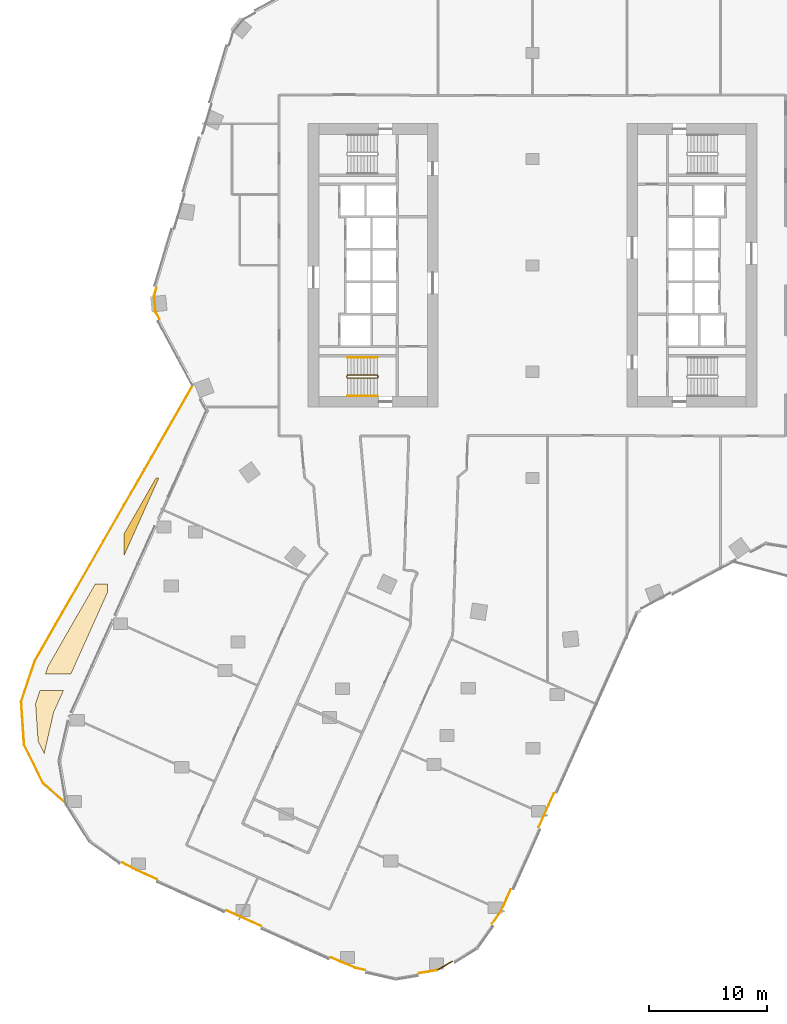
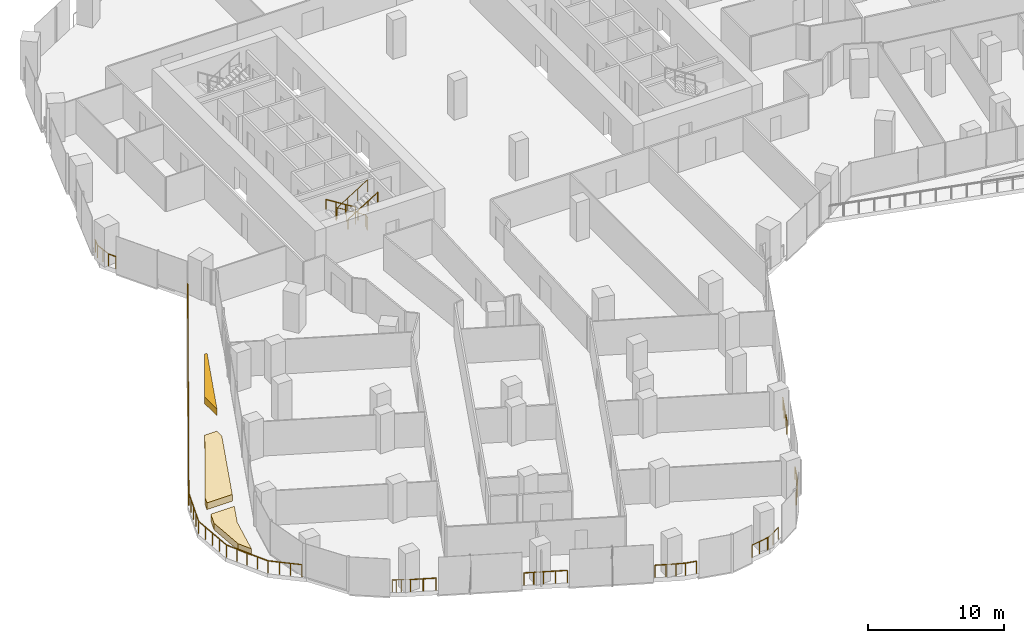
# One storey, part 29 of 32: 16 railings, 3 coverings.
"""IFC4 building model written with IfcOpenShell, lengths in metres."""

from ifc_helpers import new_model, si_unit, direction, frame, origin, origin_2d, place, context, subcontext, project, spatial, polyline, circle, outline, extrude, material, layer, layer_set, type_object, element, save


model = new_model("IFC4")

# Units and contexts
model_context = context("Model", 3, precision=1e-05, world=origin(), true_north=direction((0.0, 1.0)))
body_context = subcontext(model_context, "Body", "Model", "MODEL_VIEW")
ifc_project = project(units=[si_unit("LENGTHUNIT", "METRE"), si_unit("AREAUNIT", "SQUARE_METRE"), si_unit("VOLUMEUNIT", "CUBIC_METRE"), si_unit("PLANEANGLEUNIT", "RADIAN"), si_unit("MASSUNIT", "GRAM", prefix="KILO")], contexts=[model_context])

# Site, building, storey
site_placement = place(None, origin())
site = spatial("IfcSite", under=ifc_project, at=site_placement, CompositionType="ELEMENT")
building_placement = place(site_placement, origin())
building = spatial("IfcBuilding", under=site, at=building_placement, Name="Orlundy Tower", CompositionType="ELEMENT")
storey_placement = place(building_placement, frame((0.0, 0.0, 123.699951171875)))
storey = spatial("IfcBuildingStorey", under=building, at=storey_placement, Name="L31", CompositionType="ELEMENT", Elevation=123.699951171875)

# Coverings
ifc_material_1 = material(Name="Planted soil in precast concrete trough", Category="concrete")
ifc_layer = layer(ifc_material_1, 0.60009765625)
ifc_layer_set = layer_set([ifc_layer], Name="PLANTER box")
covering_type = type_object("IfcCoveringType", Name="PLANTER box", PredefinedType="USERDEFINED", material=ifc_layer_set)
covering_1_placement = place(storey_placement, origin())
element("IfcCovering", 1, at=covering_1_placement, inside=storey, type_object=covering_type, Name="PLANTER L31-20", ObjectType="PLANTER", PredefinedType="USERDEFINED", context=body_context, shape_type="SweptSolid", body=[
    extrude(outline(polyline([(-41.718017578125, -36.0), (-39.718994140625, -36.0), (-40.554931640625, -37.863037109375), (-41.35205078125, -41.3369140625), (-41.873046875, -40.2890625), (-42.090087890625, -37.10693359375), (-41.718017578125, -36.0)])), origin(), (0.0, 0.0, 1.0), 0.60009765625),
])
covering_2_placement = place(storey_placement, origin())
element("IfcCovering", 2, at=covering_2_placement, inside=storey, type_object=covering_type, Name="PLANTER L31-21", ObjectType="PLANTER", PredefinedType="USERDEFINED", context=body_context, shape_type="SweptSolid", body=[
    extrude(outline(polyline([(-41.031982421875, -33.9599609375), (-37.041015625, -27.0), (-36.0, -27.0), (-36.0, -27.7119140625), (-39.091064453125, -34.60009765625), (-41.2470703125, -34.60009765625), (-41.031982421875, -33.9599609375)])), origin(), (0.0, 0.0, 1.0), 0.60009765625),
])
covering_3_placement = place(storey_placement, origin())
element("IfcCovering", 3, at=covering_3_placement, inside=storey, type_object=covering_type, Name="PLANTER L31-22", ObjectType="PLANTER", PredefinedType="USERDEFINED", context=body_context, shape_type="SweptSolid", body=[
    extrude(outline(polyline([(-31.8798828125, -18.0), (-31.64208984375, -18.0), (-34.60009765625, -24.592041015625), (-34.60009765625, -22.743896484375), (-31.8798828125, -18.0)])), origin(), (0.0, 0.0, 1.0), 0.60009765625),
])

# Railings
ifc_material_2 = material(Name="Steel balustrade", Category="steel")
railing_type_1 = type_object("IfcRailingType", Name="Stair Guard 1100", PredefinedType="GUARDRAIL", material=ifc_material_2)
railing_1_placement = place(storey_placement, frame((-13.090087890625, -9.35009765625, 0.0)))
element("IfcRailing", 4, at=railing_1_placement, inside=storey, type_object=railing_type_1, Name="L31 ST-W2 stair guard 1", PredefinedType="GUARDRAIL", context=body_context, shape_type="SweptSolid", body=[
    extrude(circle(Radius=0.02392578125, at=origin_2d()), frame((0.0, 0.0, 1.076171875), z_axis=(0.0, -1.0, 0.0), x_axis=(1.0, 0.0, 0.0)), (0.0, 0.0, 1.0), 0.14990234375),
    extrude(circle(Radius=0.02392578125, at=origin_2d()), frame((0.0, -0.14990234375, 1.076171875), z_axis=(-0.18420542264, 0.739530593833, 0.647427882513), x_axis=(-0.970351222016, -0.241699205484, 0.0)), (0.0, 0.0, 1.0), 0.270263671875),
    extrude(circle(Radius=0.02392578125, at=origin_2d()), frame((-0.0498046875, 0.050048828125, 1.2509765625), z_axis=(-0.848007534815, 0.0, 0.529984170421), x_axis=(0.0, -1.0, 0.0)), (0.0, 0.0, 1.0), 2.9716796875),
    extrude(circle(Radius=0.02392578125, at=origin_2d()), frame((-2.56982421875, 0.050048828125, 2.826171875), z_axis=(-0.707106781187, -0.707106781187, 0.0), x_axis=(0.707106781187, -0.707106781187, 0.0)), (0.0, 0.0, 1.0), 0.07080078125),
    extrude(circle(Radius=0.02392578125, at=origin_2d()), frame((-2.619873046875, 0.0, 2.826171875), z_axis=(0.0, -1.0, 0.0), x_axis=(1.0, 0.0, 0.0)), (0.0, 0.0, 1.0), 0.14990234375),
    extrude(circle(Radius=0.02392578125, at=origin_2d()), frame((-2.619873046875, -0.14990234375, 2.826171875), z_axis=(0.265065253269, -0.265065253269, 0.927081885822), x_axis=(0.707106781187, 0.707106781187, 0.0)), (0.0, 0.0, 1.0), 0.188720703125),
    extrude(circle(Radius=0.02392578125, at=origin_2d()), frame((-2.56982421875, -0.199951171875, 3.0009765625), z_axis=(0.848007534815, 0.0, 0.529984170421), x_axis=(0.0, 1.0, 0.0)), (0.0, 0.0, 1.0), 2.9716796875),
    extrude(circle(Radius=0.02099609375, at=origin_2d()), origin(), (0.0, 0.0, 1.0), 1.052001953125),
    extrude(circle(Radius=0.02099609375, at=origin_2d()), frame((0.0, -0.14990234375, 0.0)), (0.0, 0.0, 1.0), 1.052001953125),
    extrude(circle(Radius=0.02099609375, at=origin_2d()), frame((-0.0498046875, 0.050048828125, 0.175048828125)), (0.0, 0.0, 1.0), 1.052001953125),
    extrude(circle(Radius=0.02099609375, at=origin_2d()), frame((-0.889892578125, 0.050048828125, 0.699951171875)), (0.0, 0.0, 1.0), 1.052001953125),
    extrude(circle(Radius=0.02099609375, at=origin_2d()), frame((-1.729736328125, 0.050048828125, 1.22509765625)), (0.0, 0.0, 1.0), 1.052001953125),
    extrude(circle(Radius=0.02099609375, at=origin_2d()), frame((-2.56982421875, 0.050048828125, 1.75)), (0.0, 0.0, 1.0), 1.052001953125),
    extrude(circle(Radius=0.02099609375, at=origin_2d()), frame((-2.619873046875, 0.0, 1.75)), (0.0, 0.0, 1.0), 1.052001953125),
    extrude(circle(Radius=0.02099609375, at=origin_2d()), frame((-2.619873046875, -0.14990234375, 1.75)), (0.0, 0.0, 1.0), 1.052001953125),
    extrude(circle(Radius=0.02099609375, at=origin_2d()), frame((-2.56982421875, -0.199951171875, 1.925048828125)), (0.0, 0.0, 1.0), 1.052001953125),
    extrude(circle(Radius=0.02099609375, at=origin_2d()), frame((-1.729736328125, -0.199951171875, 2.449951171875)), (0.0, 0.0, 1.0), 1.052001953125),
    extrude(circle(Radius=0.02099609375, at=origin_2d()), frame((-0.889892578125, -0.199951171875, 2.97509765625)), (0.0, 0.0, 1.0), 1.052001953125),
    extrude(circle(Radius=0.02099609375, at=origin_2d()), frame((-0.0498046875, -0.199951171875, 3.5)), (0.0, 0.0, 1.0), 1.052001953125),
])
ifc_material_3 = material(Name="Steel handrail", Category="steel")
railing_type_2 = type_object("IfcRailingType", Name="Stair Handrail 900", PredefinedType="HANDRAIL", material=ifc_material_3)
railing_2_placement = place(storey_placement, frame((-13.139892578125, -7.800048828125, 0.175048828125)))
element("IfcRailing", 5, at=railing_2_placement, inside=storey, type_object=railing_type_2, Name="L31 ST-W2 stair handrail 1", PredefinedType="HANDRAIL", context=body_context, shape_type="SweptSolid", body=[
    extrude(circle(Radius=0.02392578125, at=origin_2d()), frame((0.0, 0.0, 0.8759765625), z_axis=(-0.848007534815, 0.0, 0.529984170421), x_axis=(0.0, -1.0, 0.0)), (0.0, 0.0, 1.0), 2.9716796875),
    extrude(circle(Radius=0.02099609375, at=origin_2d()), origin(), (0.0, 0.0, 1.0), 0.851806640625),
    extrude(circle(Radius=0.02099609375, at=origin_2d()), frame((-0.840087890625, 0.0, 0.52490234375)), (0.0, 0.0, 1.0), 0.851806640625),
    extrude(circle(Radius=0.02099609375, at=origin_2d()), frame((-1.679931640625, 0.0, 1.050048828125)), (0.0, 0.0, 1.0), 0.851806640625),
    extrude(circle(Radius=0.02099609375, at=origin_2d()), frame((-2.52001953125, 0.0, 1.574951171875)), (0.0, 0.0, 1.0), 0.851806640625),
])
railing_3_placement = place(storey_placement, frame((-15.659912109375, -11.050048828125, 1.925048828125)))
element("IfcRailing", 6, at=railing_3_placement, inside=storey, type_object=railing_type_2, Name="L31 ST-W2 stair handrail 2", PredefinedType="HANDRAIL", context=body_context, shape_type="SweptSolid", body=[
    extrude(circle(Radius=0.02392578125, at=origin_2d()), frame((0.0, 0.0, 0.8759765625), z_axis=(0.848007534815, 0.0, 0.529984170421), x_axis=(0.0, 1.0, 0.0)), (0.0, 0.0, 1.0), 2.9716796875),
    extrude(circle(Radius=0.02099609375, at=origin_2d()), origin(), (0.0, 0.0, 1.0), 0.851806640625),
    extrude(circle(Radius=0.02099609375, at=origin_2d()), frame((0.840087890625, 0.0, 0.52490234375)), (0.0, 0.0, 1.0), 0.851806640625),
    extrude(circle(Radius=0.02099609375, at=origin_2d()), frame((1.679931640625, 0.0, 1.050048828125)), (0.0, 0.0, 1.0), 0.851806640625),
    extrude(circle(Radius=0.02099609375, at=origin_2d()), frame((2.52001953125, 0.0, 1.574951171875)), (0.0, 0.0, 1.0), 0.851806640625),
])
ifc_material_4 = material(Name="Stainless steel bronze finish", Category="steel")
railing_type_3 = type_object("IfcRailingType", Name="TG1 terrace guard", PredefinedType="GUARDRAIL", material=ifc_material_4)
railing_4_placement = place(storey_placement, frame((-1.84912109375, -52.87548828125, 0.0)))
element("IfcRailing", 7, at=railing_4_placement, inside=storey, type_object=railing_type_3, Name="Guard TG-L31-E03", PredefinedType="GUARDRAIL", context=body_context, shape_type="SweptSolid", body=[
    extrude(circle(Radius=0.02490234375, at=origin_2d()), frame((0.0, 0.0, 1.09521484375), z_axis=(-0.409333081637, -0.91238502195, 0.0), x_axis=(0.91238502195, -0.409333081637, 0.0)), (0.0, 0.0, 1.0), 1.643798828125),
    extrude(circle(Radius=0.02490234375, at=origin_2d()), frame((-0.6728515625, -1.499755859375, 1.09521484375), z_axis=(-0.489815329491, -0.871826211464, 0.0), x_axis=(0.871826211464, -0.489815329491, 0.0)), (0.0, 0.0, 1.0), 0.64990234375),
    extrude(circle(Radius=0.02490234375, at=origin_2d()), frame((-0.9912109375, -2.06640625, 1.09521484375), z_axis=(-0.579444930415, -0.815011394163, 0.0), x_axis=(0.815011394163, -0.579444930415, 0.0)), (0.0, 0.0, 1.0), 1.00537109375),
    extrude(circle(Radius=0.02001953125, at=origin_2d()), origin(), (0.0, 0.0, 1.0), 1.070068359375),
    extrude(circle(Radius=0.02001953125, at=origin_2d()), frame((-0.33642578125, -0.75, 0.0)), (0.0, 0.0, 1.0), 1.070068359375),
    extrude(circle(Radius=0.02001953125, at=origin_2d()), frame((-0.6728515625, -1.499755859375, 0.0)), (0.0, 0.0, 1.0), 1.070068359375),
    extrude(circle(Radius=0.02001953125, at=origin_2d()), frame((-0.9912109375, -2.06640625, 0.0)), (0.0, 0.0, 1.0), 1.070068359375),
    extrude(circle(Radius=0.02001953125, at=origin_2d()), frame((-1.57373046875, -2.8857421875, 0.0)), (0.0, 0.0, 1.0), 1.070068359375),
])
railing_5_placement = place(storey_placement, frame((1.81396484375, -44.712890625, 0.0)))
element("IfcRailing", 8, at=railing_5_placement, inside=storey, type_object=railing_type_3, Name="Guard TG-L31-E04", PredefinedType="GUARDRAIL", context=body_context, shape_type="SweptSolid", body=[
    extrude(circle(Radius=0.02490234375, at=origin_2d()), frame((0.0, 0.0, 1.09521484375), z_axis=(-0.409470424024, -0.912323392142, 0.0), x_axis=(0.912323392142, -0.409470424024, 0.0)), (0.0, 0.0, 1.0), 3.14501953125),
    extrude(circle(Radius=0.02001953125, at=origin_2d()), origin(), (0.0, 0.0, 1.0), 1.070068359375),
    extrude(circle(Radius=0.02001953125, at=origin_2d()), frame((-0.42919921875, -0.95654296875, 0.0)), (0.0, 0.0, 1.0), 1.070068359375),
    extrude(circle(Radius=0.02001953125, at=origin_2d()), frame((-0.858642578125, -1.912841796875, 0.0)), (0.0, 0.0, 1.0), 1.070068359375),
    extrude(circle(Radius=0.02001953125, at=origin_2d()), frame((-1.287841796875, -2.869384765625, 0.0)), (0.0, 0.0, 1.0), 1.070068359375),
])
railing_6_placement = place(storey_placement, frame((-8.125, -59.701904296875, 0.0)))
element("IfcRailing", 9, at=railing_6_placement, inside=storey, type_object=railing_type_3, Name="Guard TG-L31-E05", PredefinedType="GUARDRAIL", context=body_context, shape_type="SweptSolid", body=[
    extrude(circle(Radius=0.02490234375, at=origin_2d()), frame((0.0, 0.0, 1.09521484375), z_axis=(0.871453836551, 0.49047753339, 0.0), x_axis=(-0.49047753339, 0.871453836551, 0.0)), (0.0, 0.0, 1.0), 1.553955078125),
    extrude(circle(Radius=0.02490234375, at=origin_2d()), frame((1.354248046875, 0.76220703125, 1.09521484375), z_axis=(-0.847220757898, -0.531240988052, 0.0), x_axis=(0.531240988052, -0.847220757898, 0.0)), (0.0, 0.0, 1.0), 0.865478515625),
    extrude(circle(Radius=0.02490234375, at=origin_2d()), frame((0.62109375, 0.302490234375, 1.09521484375), z_axis=(-0.899025045146, -0.437897211912, 0.0), x_axis=(0.437897211912, -0.899025045146, 0.0)), (0.0, 0.0, 1.0), 0.630615234375),
    extrude(circle(Radius=0.02001953125, at=origin_2d()), origin(), (0.0, 0.0, 1.0), 1.070068359375),
    extrude(circle(Radius=0.02001953125, at=origin_2d()), frame((0.67724609375, 0.381103515625, 0.0)), (0.0, 0.0, 1.0), 1.070068359375),
    extrude(circle(Radius=0.02001953125, at=origin_2d()), frame((1.354248046875, 0.76220703125, 0.0)), (0.0, 0.0, 1.0), 1.070068359375),
    extrude(circle(Radius=0.02001953125, at=origin_2d()), frame((0.62109375, 0.302490234375, 0.0)), (0.0, 0.0, 1.0), 1.070068359375),
    extrude(circle(Radius=0.02001953125, at=origin_2d()), frame((0.05419921875, 0.0263671875, 0.0)), (0.0, 0.0, 1.0), 1.070068359375),
])
railing_7_placement = place(storey_placement, frame((-24.569091796875, -55.242919921875, 0.0)))
element("IfcRailing", 10, at=railing_7_placement, inside=storey, type_object=railing_type_3, Name="Guard TG-L31-E010", PredefinedType="GUARDRAIL", context=body_context, shape_type="SweptSolid", body=[
    extrude(circle(Radius=0.02490234375, at=origin_2d()), frame((0.0, 0.0, 1.09521484375), z_axis=(-0.912369877933, 0.409366835296, 0.0), x_axis=(-0.409366835296, -0.912369877933, 0.0)), (0.0, 0.0, 1.0), 1.46533203125),
    extrude(circle(Radius=0.02001953125, at=origin_2d()), origin(), (0.0, 0.0, 1.0), 1.070068359375),
    extrude(circle(Radius=0.02001953125, at=origin_2d()), frame((-0.66845703125, 0.2998046875, 0.0)), (0.0, 0.0, 1.0), 1.070068359375),
    extrude(circle(Radius=0.02001953125, at=origin_2d()), frame((-1.3369140625, 0.599853515625, 0.0)), (0.0, 0.0, 1.0), 1.070068359375),
])
railing_8_placement = place(storey_placement, frame((-31.600341796875, -4.5205078125, 0.0)))
element("IfcRailing", 11, at=railing_8_placement, inside=storey, type_object=railing_type_3, Name="Guard TG-L31-E013", PredefinedType="GUARDRAIL", context=body_context, shape_type="SweptSolid", body=[
    extrude(circle(Radius=0.02490234375, at=origin_2d()), frame((0.0, 0.0, 1.09521484375), z_axis=(-0.474699171362, 0.880148110666, 0.0), x_axis=(-0.880148110666, -0.474699171362, 0.0)), (0.0, 0.0, 1.0), 0.65576171875),
    extrude(circle(Radius=0.02490234375, at=origin_2d()), frame((-0.311279296875, 0.5771484375, 1.09521484375), z_axis=(-0.10161885, 0.9948234061, 0.0), x_axis=(-0.9948234061, -0.10161885, 0.0)), (0.0, 0.0, 1.0), 1.35986328125),
    extrude(circle(Radius=0.02490234375, at=origin_2d()), frame((-0.449462890625, 1.929931640625, 1.09521484375), z_axis=(0.286739032965, 0.958008730114, 0.0), x_axis=(-0.958008730114, 0.286739032965, 0.0)), (0.0, 0.0, 1.0), 0.698974609375),
    extrude(circle(Radius=0.02001953125, at=origin_2d()), origin(), (0.0, 0.0, 1.0), 1.070068359375),
    extrude(circle(Radius=0.02001953125, at=origin_2d()), frame((-0.311279296875, 0.5771484375, 0.0)), (0.0, 0.0, 1.0), 1.070068359375),
    extrude(circle(Radius=0.02001953125, at=origin_2d()), frame((-0.38037109375, 1.25341796875, 0.0)), (0.0, 0.0, 1.0), 1.070068359375),
    extrude(circle(Radius=0.02001953125, at=origin_2d()), frame((-0.449462890625, 1.929931640625, 0.0)), (0.0, 0.0, 1.0), 1.070068359375),
    extrude(circle(Radius=0.02001953125, at=origin_2d()), frame((-0.2490234375, 2.599609375, 0.0)), (0.0, 0.0, 1.0), 1.070068359375),
])
railing_9_placement = place(storey_placement, frame((-31.819091796875, -51.989990234375, 0.0)))
element("IfcRailing", 12, at=railing_9_placement, inside=storey, type_object=railing_type_3, Name="Guard TG-L31-E020", PredefinedType="GUARDRAIL", context=body_context, shape_type="SweptSolid", body=[
    extrude(circle(Radius=0.02490234375, at=origin_2d()), frame((0.0, 0.0, 1.09521484375), z_axis=(-0.9123329645, 0.4094490956, 0.0), x_axis=(-0.4094490956, -0.9123329645, 0.0)), (0.0, 0.0, 1.0), 1.907470703125),
    extrude(circle(Radius=0.02001953125, at=origin_2d()), origin(), (0.0, 0.0, 1.0), 1.070068359375),
    extrude(circle(Radius=0.02001953125, at=origin_2d()), frame((-0.8701171875, 0.390625, 0.0)), (0.0, 0.0, 1.0), 1.070068359375),
    extrude(circle(Radius=0.02001953125, at=origin_2d()), frame((-1.740234375, 0.781005859375, 0.0)), (0.0, 0.0, 1.0), 1.070068359375),
])
railing_10_placement = place(storey_placement, frame((-22.97314453125, -55.958984375, 0.0)))
element("IfcRailing", 13, at=railing_10_placement, inside=storey, type_object=railing_type_3, Name="Guard TG-L31-E021", PredefinedType="GUARDRAIL", context=body_context, shape_type="SweptSolid", body=[
    extrude(circle(Radius=0.02490234375, at=origin_2d()), frame((0.0, 0.0, 1.09521484375), z_axis=(-0.912372743279, 0.409360449141, 0.0), x_axis=(-0.409360449141, -0.912372743279, 0.0)), (0.0, 0.0, 1.0), 1.749267578125),
    extrude(circle(Radius=0.02001953125, at=origin_2d()), origin(), (0.0, 0.0, 1.0), 1.070068359375),
    extrude(circle(Radius=0.02001953125, at=origin_2d()), frame((-0.7978515625, 0.35791015625, 0.0)), (0.0, 0.0, 1.0), 1.070068359375),
    extrude(circle(Radius=0.02001953125, at=origin_2d()), frame((-1.595947265625, 0.716064453125, 0.0)), (0.0, 0.0, 1.0), 1.070068359375),
])
railing_11_placement = place(storey_placement, frame((-34.48779296875, -50.75048828125, 0.0)))
element("IfcRailing", 14, at=railing_11_placement, inside=storey, type_object=railing_type_3, Name="Guard TG-L31-E022", PredefinedType="GUARDRAIL", context=body_context, shape_type="SweptSolid", body=[
    extrude(circle(Radius=0.02490234375, at=origin_2d()), frame((0.0, 0.0, 1.09521484375), z_axis=(-0.815022146155, 0.579429807032, 0.0), x_axis=(-0.579429807032, -0.815022146155, 0.0)), (0.0, 0.0, 1.0), 0.306640625),
    extrude(circle(Radius=0.02490234375, at=origin_2d()), frame((-0.25, 0.177734375, 1.09521484375), z_axis=(0.879949599136, -0.475067051036, 0.0), x_axis=(0.475067051036, 0.879949599136, 0.0)), (0.0, 0.0, 1.0), 1.33935546875),
    extrude(circle(Radius=0.02001953125, at=origin_2d()), origin(), (0.0, 0.0, 1.0), 1.070068359375),
    extrude(circle(Radius=0.02001953125, at=origin_2d()), frame((-0.25, 0.177734375, 0.0)), (0.0, 0.0, 1.0), 1.070068359375),
    extrude(circle(Radius=0.02001953125, at=origin_2d()), frame((0.33935546875, -0.140380859375, 0.0)), (0.0, 0.0, 1.0), 1.070068359375),
    extrude(circle(Radius=0.02001953125, at=origin_2d()), frame((0.928466796875, -0.45849609375, 0.0)), (0.0, 0.0, 1.0), 1.070068359375),
])
railing_12_placement = place(storey_placement, frame((-8.125, -59.701904296875, 0.0)))
element("IfcRailing", 15, at=railing_12_placement, inside=storey, type_object=railing_type_3, Name="Guard TG-L31-E024", PredefinedType="GUARDRAIL", context=body_context, shape_type="SweptSolid", body=[
    extrude(circle(Radius=0.02490234375, at=origin_2d()), frame((0.0, 0.0, 1.09521484375), z_axis=(-0.986047696707, -0.166463028387, 0.0), x_axis=(0.166463028387, -0.986047696707, 0.0)), (0.0, 0.0, 1.0), 1.51513671875),
    extrude(circle(Radius=0.02001953125, at=origin_2d()), origin(), (0.0, 0.0, 1.0), 1.070068359375),
    extrude(circle(Radius=0.02001953125, at=origin_2d()), frame((-0.7470703125, -0.1259765625, 0.0)), (0.0, 0.0, 1.0), 1.070068359375),
    extrude(circle(Radius=0.02001953125, at=origin_2d()), frame((-1.493896484375, -0.252197265625, 0.0)), (0.0, 0.0, 1.0), 1.070068359375),
])
railing_13_placement = place(storey_placement, frame((-14.984130859375, -59.501708984375, 0.0)))
element("IfcRailing", 16, at=railing_13_placement, inside=storey, type_object=railing_type_3, Name="Guard TG-L31-E025", PredefinedType="GUARDRAIL", context=body_context, shape_type="SweptSolid", body=[
    extrude(circle(Radius=0.02490234375, at=origin_2d()), frame((0.0, 0.0, 1.09521484375), z_axis=(-0.92300613547, 0.384785230855, 0.0), x_axis=(-0.384785230855, -0.92300613547, 0.0)), (0.0, 0.0, 1.0), 1.428955078125),
    extrude(circle(Radius=0.02001953125, at=origin_2d()), origin(), (0.0, 0.0, 1.0), 1.070068359375),
    extrude(circle(Radius=0.02001953125, at=origin_2d()), frame((-0.659423828125, 0.27490234375, 0.0)), (0.0, 0.0, 1.0), 1.070068359375),
    extrude(circle(Radius=0.02001953125, at=origin_2d()), frame((-1.31884765625, 0.5498046875, 0.0)), (0.0, 0.0, 1.0), 1.070068359375),
])
railing_14_placement = place(storey_placement, frame((-14.17138671875, -59.688232421875, 0.0)))
element("IfcRailing", 17, at=railing_14_placement, inside=storey, type_object=railing_type_3, Name="Guard TG-L31-E027", PredefinedType="GUARDRAIL", context=body_context, shape_type="SweptSolid", body=[
    extrude(circle(Radius=0.02490234375, at=origin_2d()), frame((0.0, 0.0, 1.09521484375), z_axis=(-0.9746618824, 0.223683291725, 0.0), x_axis=(-0.223683291725, -0.9746618824, 0.0)), (0.0, 0.0, 1.0), 0.833984375),
    extrude(circle(Radius=0.02001953125, at=origin_2d()), origin(), (0.0, 0.0, 1.0), 1.070068359375),
    extrude(circle(Radius=0.02001953125, at=origin_2d()), frame((-0.812744140625, 0.1865234375, 0.0)), (0.0, 0.0, 1.0), 1.070068359375),
])
railing_15_placement = place(storey_placement, frame((-16.302978515625, -58.951904296875, 0.0)))
element("IfcRailing", 18, at=railing_15_placement, inside=storey, type_object=railing_type_3, Name="Guard TG-L31-E028", PredefinedType="GUARDRAIL", context=body_context, shape_type="SweptSolid", body=[
    extrude(circle(Radius=0.02490234375, at=origin_2d()), frame((0.0, 0.0, 1.09521484375), z_axis=(-0.912314717981, 0.40948975, 0.0), x_axis=(-0.40948975, -0.912314717981, 0.0)), (0.0, 0.0, 1.0), 0.823974609375),
    extrude(circle(Radius=0.02001953125, at=origin_2d()), origin(), (0.0, 0.0, 1.0), 1.070068359375),
    extrude(circle(Radius=0.02001953125, at=origin_2d()), frame((-0.751708984375, 0.33740234375, 0.0)), (0.0, 0.0, 1.0), 1.070068359375),
])
railing_16_placement = place(storey_placement, frame((-39.5078125, -45.56201171875, 0.0)))
element("IfcRailing", 19, at=railing_16_placement, inside=storey, type_object=railing_type_3, Name="Guard TG-L31-20", PredefinedType="GUARDRAIL", context=body_context, shape_type="SweptSolid", body=[
    extrude(circle(Radius=0.02490234375, at=origin_2d()), frame((0.0, 0.0, 1.09521484375), z_axis=(-0.753552839817, 0.657387342138, 0.0), x_axis=(-0.657387342138, -0.753552839817, 0.0)), (0.0, 0.0, 1.0), 2.538818359375),
    extrude(circle(Radius=0.02490234375, at=origin_2d()), frame((-1.9130859375, 1.6689453125, 1.09521484375), z_axis=(-0.445242235348, 0.895410158454, 0.0), x_axis=(-0.895410158454, -0.445242235348, 0.0)), (0.0, 0.0, 1.0), 3.667724609375),
    extrude(circle(Radius=0.02490234375, at=origin_2d()), frame((-3.546142578125, 4.953125, 1.09521484375), z_axis=(-0.068185065395, 0.997672690243, 0.0), x_axis=(-0.997672690243, -0.068185065395, 0.0)), (0.0, 0.0, 1.0), 3.66650390625),
    extrude(circle(Radius=0.02490234375, at=origin_2d()), frame((-3.796142578125, 8.611083984375, 1.09521484375), z_axis=(0.318895037148, 0.947790037552, 0.0), x_axis=(-0.947790037552, 0.318895037148, 0.0)), (0.0, 0.0, 1.0), 3.677978515625),
    extrude(circle(Radius=0.02490234375, at=origin_2d()), frame((-2.623291015625, 12.096923828125, 1.09521484375), z_axis=(0.497466427513, 0.86748322952, 0.0), x_axis=(-0.86748322952, 0.497466427513, 0.0)), (0.0, 0.0, 1.0), 26.844970703125),
    extrude(circle(Radius=0.02001953125, at=origin_2d()), origin(), (0.0, 0.0, 1.0), 1.070068359375),
    extrude(circle(Radius=0.02001953125, at=origin_2d()), frame((-0.6376953125, 0.556396484375, 0.0)), (0.0, 0.0, 1.0), 1.070068359375),
    extrude(circle(Radius=0.02001953125, at=origin_2d()), frame((-1.275390625, 1.112548828125, 0.0)), (0.0, 0.0, 1.0), 1.070068359375),
    extrude(circle(Radius=0.02001953125, at=origin_2d()), frame((-1.9130859375, 1.6689453125, 0.0)), (0.0, 0.0, 1.0), 1.070068359375),
    extrude(circle(Radius=0.02001953125, at=origin_2d()), frame((-2.3212890625, 2.489990234375, 0.0)), (0.0, 0.0, 1.0), 1.070068359375),
    extrude(circle(Radius=0.02001953125, at=origin_2d()), frame((-2.7294921875, 3.31103515625, 0.0)), (0.0, 0.0, 1.0), 1.070068359375),
    extrude(circle(Radius=0.02001953125, at=origin_2d()), frame((-3.137939453125, 4.132080078125, 0.0)), (0.0, 0.0, 1.0), 1.070068359375),
    extrude(circle(Radius=0.02001953125, at=origin_2d()), frame((-3.546142578125, 4.953125, 0.0)), (0.0, 0.0, 1.0), 1.070068359375),
    extrude(circle(Radius=0.02001953125, at=origin_2d()), frame((-3.608642578125, 5.86767578125, 0.0)), (0.0, 0.0, 1.0), 1.070068359375),
    extrude(circle(Radius=0.02001953125, at=origin_2d()), frame((-3.671142578125, 6.7822265625, 0.0)), (0.0, 0.0, 1.0), 1.070068359375),
    extrude(circle(Radius=0.02001953125, at=origin_2d()), frame((-3.733642578125, 7.696533203125, 0.0)), (0.0, 0.0, 1.0), 1.070068359375),
    extrude(circle(Radius=0.02001953125, at=origin_2d()), frame((-3.796142578125, 8.611083984375, 0.0)), (0.0, 0.0, 1.0), 1.070068359375),
    extrude(circle(Radius=0.02001953125, at=origin_2d()), frame((-3.5029296875, 9.482421875, 0.0)), (0.0, 0.0, 1.0), 1.070068359375),
    extrude(circle(Radius=0.02001953125, at=origin_2d()), frame((-3.209716796875, 10.35400390625, 0.0)), (0.0, 0.0, 1.0), 1.070068359375),
    extrude(circle(Radius=0.02001953125, at=origin_2d()), frame((-2.91650390625, 11.2255859375, 0.0)), (0.0, 0.0, 1.0), 1.070068359375),
    extrude(circle(Radius=0.02001953125, at=origin_2d()), frame((-2.623291015625, 12.096923828125, 0.0)), (0.0, 0.0, 1.0), 1.070068359375),
    extrude(circle(Radius=0.02001953125, at=origin_2d()), frame((-2.042724609375, 13.109375, 0.0)), (0.0, 0.0, 1.0), 1.070068359375),
    extrude(circle(Radius=0.02001953125, at=origin_2d()), frame((-1.4619140625, 14.121826171875, 0.0)), (0.0, 0.0, 1.0), 1.070068359375),
    extrude(circle(Radius=0.02001953125, at=origin_2d()), frame((-0.88134765625, 15.134521484375, 0.0)), (0.0, 0.0, 1.0), 1.070068359375),
    extrude(circle(Radius=0.02001953125, at=origin_2d()), frame((-0.30078125, 16.14697265625, 0.0)), (0.0, 0.0, 1.0), 1.070068359375),
    extrude(circle(Radius=0.02001953125, at=origin_2d()), frame((0.27978515625, 17.159423828125, 0.0)), (0.0, 0.0, 1.0), 1.070068359375),
    extrude(circle(Radius=0.02001953125, at=origin_2d()), frame((0.860595703125, 18.171875, 0.0)), (0.0, 0.0, 1.0), 1.070068359375),
    extrude(circle(Radius=0.02001953125, at=origin_2d()), frame((1.441162109375, 19.1845703125, 0.0)), (0.0, 0.0, 1.0), 1.070068359375),
    extrude(circle(Radius=0.02001953125, at=origin_2d()), frame((2.021728515625, 20.197021484375, 0.0)), (0.0, 0.0, 1.0), 1.070068359375),
    extrude(circle(Radius=0.02001953125, at=origin_2d()), frame((2.602294921875, 21.20947265625, 0.0)), (0.0, 0.0, 1.0), 1.070068359375),
    extrude(circle(Radius=0.02001953125, at=origin_2d()), frame((3.18310546875, 22.221923828125, 0.0)), (0.0, 0.0, 1.0), 1.070068359375),
    extrude(circle(Radius=0.02001953125, at=origin_2d()), frame((3.763671875, 23.234375, 0.0)), (0.0, 0.0, 1.0), 1.070068359375),
    extrude(circle(Radius=0.02001953125, at=origin_2d()), frame((4.34423828125, 24.2470703125, 0.0)), (0.0, 0.0, 1.0), 1.070068359375),
    extrude(circle(Radius=0.02001953125, at=origin_2d()), frame((4.9248046875, 25.259521484375, 0.0)), (0.0, 0.0, 1.0), 1.070068359375),
    extrude(circle(Radius=0.02001953125, at=origin_2d()), frame((5.505615234375, 26.27197265625, 0.0)), (0.0, 0.0, 1.0), 1.070068359375),
    extrude(circle(Radius=0.02001953125, at=origin_2d()), frame((6.086181640625, 27.284423828125, 0.0)), (0.0, 0.0, 1.0), 1.070068359375),
    extrude(circle(Radius=0.02001953125, at=origin_2d()), frame((6.666748046875, 28.296875, 0.0)), (0.0, 0.0, 1.0), 1.070068359375),
    extrude(circle(Radius=0.02001953125, at=origin_2d()), frame((7.247314453125, 29.3095703125, 0.0)), (0.0, 0.0, 1.0), 1.070068359375),
    extrude(circle(Radius=0.02001953125, at=origin_2d()), frame((7.828125, 30.322021484375, 0.0)), (0.0, 0.0, 1.0), 1.070068359375),
    extrude(circle(Radius=0.02001953125, at=origin_2d()), frame((8.40869140625, 31.33447265625, 0.0)), (0.0, 0.0, 1.0), 1.070068359375),
    extrude(circle(Radius=0.02001953125, at=origin_2d()), frame((8.9892578125, 32.346923828125, 0.0)), (0.0, 0.0, 1.0), 1.070068359375),
    extrude(circle(Radius=0.02001953125, at=origin_2d()), frame((9.56982421875, 33.359619140625, 0.0)), (0.0, 0.0, 1.0), 1.070068359375),
    extrude(circle(Radius=0.02001953125, at=origin_2d()), frame((10.150634765625, 34.3720703125, 0.0)), (0.0, 0.0, 1.0), 1.070068359375),
    extrude(circle(Radius=0.02001953125, at=origin_2d()), frame((10.731201171875, 35.384521484375, 0.0)), (0.0, 0.0, 1.0), 1.070068359375),
])

save(model, "model.ifc")
